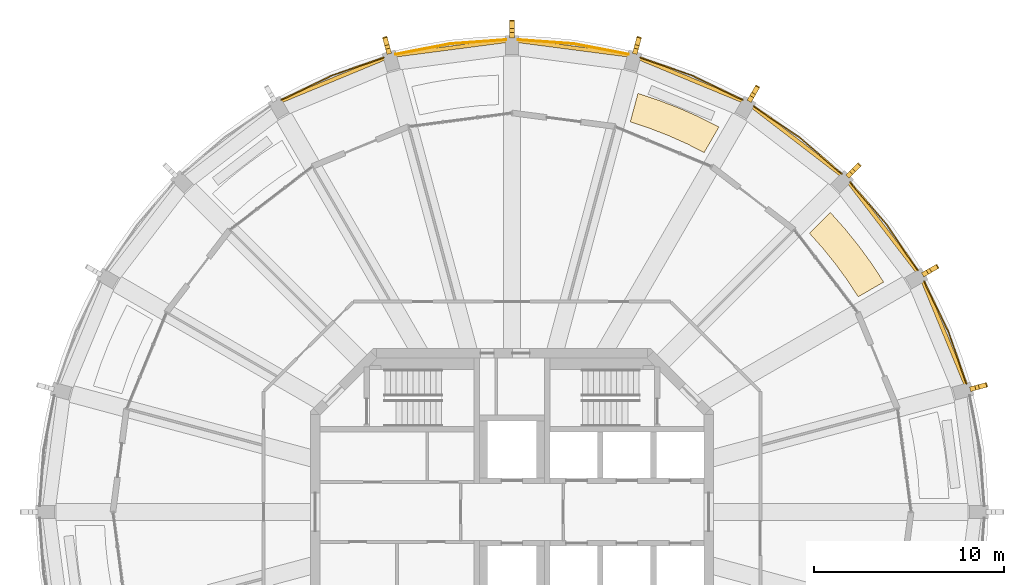
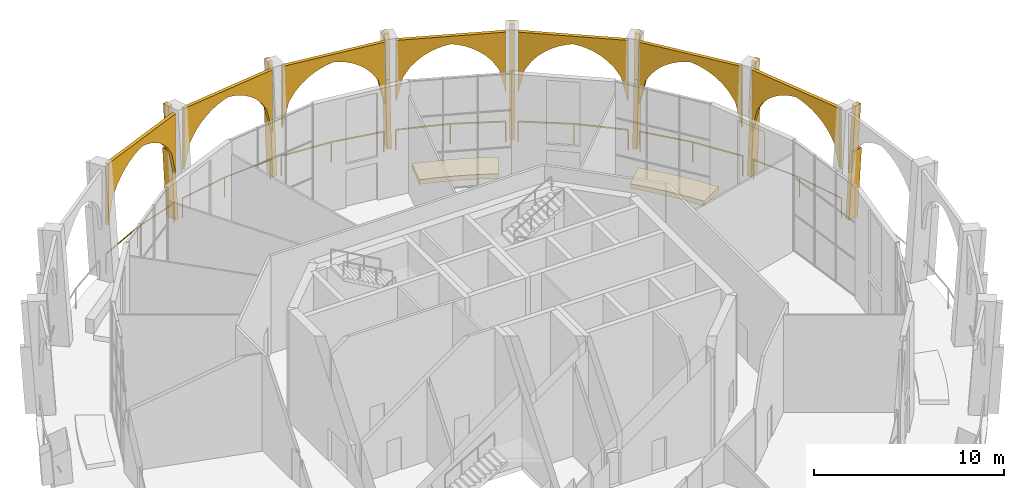
# One storey, part 17 of 17: 23 coverings, 7 railings.
"""IFC4 building model written with IfcOpenShell, lengths in metres."""

from ifc_helpers import new_model, si_unit, direction, frame, origin, origin_2d, place, context, subcontext, project, spatial, polyline, rectangle, outline, extrude, material, layer, layer_set, material_profile, profile_set, type_object, element, save


model = new_model("IFC4")

# Units and contexts
model_context = context("Model", 3, precision=1e-05, world=origin(), true_north=direction((0.0, 1.0)))
body_context = subcontext(model_context, "Body", "Model", "MODEL_VIEW")
ifc_project = project(units=[si_unit("LENGTHUNIT", "METRE"), si_unit("AREAUNIT", "SQUARE_METRE"), si_unit("VOLUMEUNIT", "CUBIC_METRE"), si_unit("PLANEANGLEUNIT", "RADIAN"), si_unit("MASSUNIT", "GRAM", prefix="KILO")], contexts=[model_context])

# Site, building, storey
site_placement = place(None, origin())
site = spatial("IfcSite", under=ifc_project, at=site_placement, CompositionType="ELEMENT")
building_placement = place(site_placement, origin())
building = spatial("IfcBuilding", under=site, at=building_placement, Name="Torre Triforio", CompositionType="ELEMENT")
storey_placement = place(building_placement, frame((0.0, 0.0, 276.0)))
storey = spatial("IfcBuildingStorey", under=building, at=storey_placement, Name="L64", CompositionType="ELEMENT", Elevation=276.0)

# Coverings
ifc_material_1 = material(Name="Limestone arch panel", Category="masonry")
ifc_layer_1 = layer(ifc_material_1, 0.199951171875)
ifc_layer_set_1 = layer_set([ifc_layer_1], Name="Limestone arch panel")
covering_type_1 = type_object("IfcCoveringType", Name="Lancet arch cladding panel 200", PredefinedType="CLADDING", material=ifc_layer_set_1)
for number, where, z_axis, x_axis, name in (
    (1, (22.662353515625, 9.38720703125, 0.0), (0.924120904221, 0.382100188932, 0.0), (-0.382100188932, 0.924120904221, 0.0), "Lancet arch panel L64 bay 02"),
    (2, (19.460693359375, 14.9326171875, 0.0), (0.793213368033, 0.608943800998, 0.0), (-0.608943800998, 0.793213368033, 0.0), "Lancet arch panel L64 bay 03"),
    (3, (14.9326171875, 19.460693359375, 0.0), (0.608943800998, 0.793213368033, 0.0), (-0.793213368033, 0.608943800998, 0.0), "Lancet arch panel L64 bay 04"),
    (4, (9.38720703125, 22.662353515625, 0.0), (0.382100188932, 0.924120904221, 0.0), (-0.924120904221, 0.382100188932, 0.0), "Lancet arch panel L64 bay 05"),
):
    element("IfcCovering", number, at=place(storey_placement, frame(where, z_axis=z_axis, x_axis=x_axis)), inside=storey, type_object=covering_type_1, Name=name, PredefinedType="CLADDING", context=body_context, shape_type="SweptSolid", body=[
        extrude(outline(polyline([(-2.919921875, 7.1201171875), (-2.919921875, 3.1748046875), (-2.5546875, 4.72900390625), (-2.189697265625, 5.3115234375), (-1.824951171875, 5.714111328125), (-1.4599609375, 6.014892578125), (-1.094970703125, 6.243408203125), (-0.72998046875, 6.415283203125), (-0.364990234375, 6.5390625), (0.0, 6.6201171875), (0.364990234375, 6.5390625), (0.72998046875, 6.415283203125), (1.094970703125, 6.243408203125), (1.4599609375, 6.014892578125), (1.824951171875, 5.714111328125), (2.189697265625, 5.3115234375), (2.5546875, 4.72900390625), (2.919921875, 3.1748046875), (2.919921875, 7.1201171875), (-2.919921875, 7.1201171875)])), origin(), (0.0, 0.0, 1.0), 0.199951171875),
    ])
for number, where, z_axis, x_axis, name in (
    (5, (3.201904296875, 24.319580078125, 0.0), (0.129287041048, 0.991607211055, 0.0), (-0.991607211055, 0.129287041048, 0.0), "Lancet arch panel L64 bay 06"),
    (6, (-3.201904296875, 24.319580078125, 0.0), (-0.129287041048, 0.991607211055, 0.0), (-0.991607211055, -0.129287041048, 0.0), "Lancet arch panel L64 bay 07"),
):
    element("IfcCovering", number, at=place(storey_placement, frame(where, z_axis=z_axis, x_axis=x_axis)), inside=storey, type_object=covering_type_1, Name=name, PredefinedType="CLADDING", context=body_context, shape_type="SweptSolid", body=[
        extrude(outline(polyline([(-2.919921875, 7.1201171875), (-2.919921875, 3.1748046875), (-2.5546875, 4.72900390625), (-2.189697265625, 5.3115234375), (-1.824951171875, 5.714111328125), (-1.4599609375, 6.014892578125), (-1.094970703125, 6.243408203125), (-0.72998046875, 6.415283203125), (-0.364990234375, 6.5390625), (0.0, 6.6201171875), (0.364990234375, 6.5390625), (0.72998046875, 6.415283203125), (1.094970703125, 6.243408203125), (1.4599609375, 6.014892578125), (1.824951171875, 5.714111328125), (2.189697265625, 5.3115234375), (2.5546875, 4.72900390625), (2.919921875, 3.1748046875), (2.919921875, 7.1201171875), (-2.919921875, 7.1201171875)])), origin(), (0.0, 0.0, 1.0), 0.2001953125),
    ])
covering_1_placement = place(storey_placement, frame((-9.38720703125, 22.662353515625, 0.0), z_axis=(-0.382100188932, 0.924120904221, 0.0), x_axis=(-0.924120904221, -0.382100188932, 0.0)))
element("IfcCovering", 7, at=covering_1_placement, inside=storey, type_object=covering_type_1, Name="Lancet arch panel L64 bay 08", PredefinedType="CLADDING", context=body_context, shape_type="SweptSolid", body=[
    extrude(outline(polyline([(-2.919921875, 7.1201171875), (-2.919921875, 3.1748046875), (-2.5546875, 4.72900390625), (-2.189697265625, 5.3115234375), (-1.824951171875, 5.714111328125), (-1.4599609375, 6.014892578125), (-1.094970703125, 6.243408203125), (-0.72998046875, 6.415283203125), (-0.364990234375, 6.5390625), (0.0, 6.6201171875), (0.364990234375, 6.5390625), (0.72998046875, 6.415283203125), (1.094970703125, 6.243408203125), (1.4599609375, 6.014892578125), (1.824951171875, 5.714111328125), (2.189697265625, 5.3115234375), (2.5546875, 4.72900390625), (2.919921875, 3.1748046875), (2.919921875, 7.1201171875), (-2.919921875, 7.1201171875)])), origin(), (0.0, 0.0, 1.0), 0.199951171875),
])

# Railings
ifc_material_2 = material(Name="Stainless steel AISI 316", Category="steel")
railing_type = type_object("IfcRailingType", Name="Loggia guard 1300", PredefinedType="GUARDRAIL", material=ifc_material_2)
railing_1_placement = place(storey_placement, frame((23.92041015625, 6.74072265625, 0.0)))
element("IfcRailing", 8, at=railing_1_placement, inside=storey, type_object=railing_type, Name="Loggia guard L64 bay 02", PredefinedType="GUARDRAIL", context=body_context, shape_type="SweptSolid", body=[
    extrude(rectangle(XDim=0.050048828125, YDim=0.050048828125, at=origin_2d()), frame((0.0, 0.0, 1.27490234375), z_axis=(-0.328145883403, 0.944627058264, 0.0), x_axis=(-0.944627058264, -0.328145883403, 0.0)), (0.0, 0.0, 1.0), 2.931396484375),
    extrude(rectangle(XDim=0.050048828125, YDim=0.050048828125, at=origin_2d()), frame((-0.9619140625, 2.76904296875, 1.27490234375), z_axis=(-0.435917913275, 0.899986429279, 0.0), x_axis=(-0.899986429279, -0.435917913275, 0.0)), (0.0, 0.0, 1.0), 2.931396484375),
    extrude(rectangle(XDim=0.0400390625, YDim=0.0400390625, at=origin_2d()), origin(), (0.0, 0.0, 1.0), 1.25),
    extrude(rectangle(XDim=0.0400390625, YDim=0.0400390625, at=origin_2d()), frame((-0.9619140625, 2.76904296875, 0.0)), (0.0, 0.0, 1.0), 1.25),
    extrude(rectangle(XDim=0.0400390625, YDim=0.0400390625, at=origin_2d()), frame((-2.23974609375, 5.4072265625, 0.0)), (0.0, 0.0, 1.0), 1.25),
])
railing_2_placement = place(storey_placement, frame((21.360595703125, 12.7021484375, 0.0)))
element("IfcRailing", 9, at=railing_2_placement, inside=storey, type_object=railing_type, Name="Loggia guard L64 bay 03", PredefinedType="GUARDRAIL", context=body_context, shape_type="SweptSolid", body=[
    extrude(rectangle(XDim=0.050048828125, YDim=0.050048828125, at=origin_2d()), frame((0.0, 0.0, 1.27490234375), z_axis=(-0.561466791934, 0.827499269821, 0.0), x_axis=(-0.827499269821, -0.561466791934, 0.0)), (0.0, 0.0, 1.0), 2.93115234375),
    extrude(rectangle(XDim=0.050048828125, YDim=0.050048828125, at=origin_2d()), frame((-1.645751953125, 2.425537109375, 1.27490234375), z_axis=(-0.653981928353, 0.756510170049, 0.0), x_axis=(-0.756510170049, -0.653981928353, 0.0)), (0.0, 0.0, 1.0), 2.93115234375),
    extrude(rectangle(XDim=0.0400390625, YDim=0.0400390625, at=origin_2d()), origin(), (0.0, 0.0, 1.0), 1.25),
    extrude(rectangle(XDim=0.0400390625, YDim=0.0400390625, at=origin_2d()), frame((-1.645751953125, 2.425537109375, 0.0)), (0.0, 0.0, 1.0), 1.25),
    extrude(rectangle(XDim=0.0400390625, YDim=0.0400390625, at=origin_2d()), frame((-3.562744140625, 4.64306640625, 0.0)), (0.0, 0.0, 1.0), 1.25),
])
railing_3_placement = place(storey_placement, frame((17.34521484375, 17.7978515625, 0.0)))
element("IfcRailing", 10, at=railing_3_placement, inside=storey, type_object=railing_type, Name="Loggia guard L64 bay 04", PredefinedType="GUARDRAIL", context=body_context, shape_type="SweptSolid", body=[
    extrude(rectangle(XDim=0.050048828125, YDim=0.050048828125, at=origin_2d()), frame((0.0, 0.0, 1.27490234375), z_axis=(-0.756510170049, 0.653981928353, 0.0), x_axis=(-0.653981928353, -0.756510170049, 0.0)), (0.0, 0.0, 1.0), 2.93115234375),
    extrude(rectangle(XDim=0.050048828125, YDim=0.050048828125, at=origin_2d()), frame((-2.217529296875, 1.9169921875, 1.27490234375), z_axis=(-0.827499269821, 0.561466791934, 0.0), x_axis=(-0.561466791934, -0.827499269821, 0.0)), (0.0, 0.0, 1.0), 2.93115234375),
    extrude(rectangle(XDim=0.0400390625, YDim=0.0400390625, at=origin_2d()), origin(), (0.0, 0.0, 1.0), 1.25),
    extrude(rectangle(XDim=0.0400390625, YDim=0.0400390625, at=origin_2d()), frame((-2.217529296875, 1.9169921875, 0.0)), (0.0, 0.0, 1.0), 1.25),
    extrude(rectangle(XDim=0.0400390625, YDim=0.0400390625, at=origin_2d()), frame((-4.64306640625, 3.562744140625, 0.0)), (0.0, 0.0, 1.0), 1.25),
])
railing_4_placement = place(storey_placement, frame((12.14794921875, 21.6806640625, 0.0)))
element("IfcRailing", 11, at=railing_4_placement, inside=storey, type_object=railing_type, Name="Loggia guard L64 bay 05", PredefinedType="GUARDRAIL", context=body_context, shape_type="SweptSolid", body=[
    extrude(rectangle(XDim=0.050048828125, YDim=0.050048828125, at=origin_2d()), frame((0.0, 0.0, 1.27490234375), z_axis=(-0.899986429279, 0.435917913275, 0.0), x_axis=(-0.435917913275, -0.899986429279, 0.0)), (0.0, 0.0, 1.0), 2.931396484375),
    extrude(rectangle(XDim=0.050048828125, YDim=0.050048828125, at=origin_2d()), frame((-2.63818359375, 1.27783203125, 1.27490234375), z_axis=(-0.944627058264, 0.328145883403, 0.0), x_axis=(-0.328145883403, -0.944627058264, 0.0)), (0.0, 0.0, 1.0), 2.931396484375),
    extrude(rectangle(XDim=0.0400390625, YDim=0.0400390625, at=origin_2d()), origin(), (0.0, 0.0, 1.0), 1.25),
    extrude(rectangle(XDim=0.0400390625, YDim=0.0400390625, at=origin_2d()), frame((-2.63818359375, 1.27783203125, 0.0)), (0.0, 0.0, 1.0), 1.25),
    extrude(rectangle(XDim=0.0400390625, YDim=0.0400390625, at=origin_2d()), frame((-5.4072265625, 2.23974609375, 0.0)), (0.0, 0.0, 1.0), 1.25),
])
railing_5_placement = place(storey_placement, frame((6.12255859375, 24.086181640625, 0.0)))
element("IfcRailing", 12, at=railing_5_placement, inside=storey, type_object=railing_type, Name="Loggia guard L64 bay 06", PredefinedType="GUARDRAIL", context=body_context, shape_type="SweptSolid", body=[
    extrude(rectangle(XDim=0.050048828125, YDim=0.050048828125, at=origin_2d()), frame((0.0, 0.0, 1.27490234375), z_axis=(-0.982155846568, 0.188068851895, 0.0), x_axis=(-0.188068851895, -0.982155846568, 0.0)), (0.0, 0.0, 1.0), 2.93115234375),
    extrude(rectangle(XDim=0.050048828125, YDim=0.050048828125, at=origin_2d()), frame((-2.87890625, 0.55126953125, 1.27490234375), z_axis=(-0.997365269168, 0.072543227511, 0.0), x_axis=(-0.072543227511, -0.997365269168, 0.0)), (0.0, 0.0, 1.0), 2.931396484375),
    extrude(rectangle(XDim=0.0400390625, YDim=0.0400390625, at=origin_2d()), origin(), (0.0, 0.0, 1.0), 1.25),
    extrude(rectangle(XDim=0.0400390625, YDim=0.0400390625, at=origin_2d()), frame((-2.87890625, 0.55126953125, 0.0)), (0.0, 0.0, 1.0), 1.25),
    extrude(rectangle(XDim=0.0400390625, YDim=0.0400390625, at=origin_2d()), frame((-5.802490234375, 0.763916015625, 0.0)), (0.0, 0.0, 1.0), 1.25),
])
railing_6_placement = place(storey_placement, frame((-0.320068359375, 24.85009765625, 0.0)))
element("IfcRailing", 13, at=railing_6_placement, inside=storey, type_object=railing_type, Name="Loggia guard L64 bay 07", PredefinedType="GUARDRAIL", context=body_context, shape_type="SweptSolid", body=[
    extrude(rectangle(XDim=0.050048828125, YDim=0.050048828125, at=origin_2d()), frame((0.0, 0.0, 1.27490234375), z_axis=(-0.997365269168, -0.072543227511, 0.0), x_axis=(0.072543227511, -0.997365269168, 0.0)), (0.0, 0.0, 1.0), 2.931396484375),
    extrude(rectangle(XDim=0.050048828125, YDim=0.050048828125, at=origin_2d()), frame((-2.923583984375, -0.212646484375, 1.27490234375), z_axis=(-0.982155846568, -0.188068851895, 0.0), x_axis=(0.188068851895, -0.982155846568, 0.0)), (0.0, 0.0, 1.0), 2.93115234375),
    extrude(rectangle(XDim=0.0400390625, YDim=0.0400390625, at=origin_2d()), origin(), (0.0, 0.0, 1.0), 1.25),
    extrude(rectangle(XDim=0.0400390625, YDim=0.0400390625, at=origin_2d()), frame((-2.923583984375, -0.212646484375, 0.0)), (0.0, 0.0, 1.0), 1.25),
    extrude(rectangle(XDim=0.0400390625, YDim=0.0400390625, at=origin_2d()), frame((-5.802490234375, -0.763916015625, 0.0)), (0.0, 0.0, 1.0), 1.25),
])
railing_7_placement = place(storey_placement, frame((-6.74072265625, 23.92041015625, 0.0)))
element("IfcRailing", 14, at=railing_7_placement, inside=storey, type_object=railing_type, Name="Loggia guard L64 bay 08", PredefinedType="GUARDRAIL", context=body_context, shape_type="SweptSolid", body=[
    extrude(rectangle(XDim=0.050048828125, YDim=0.050048828125, at=origin_2d()), frame((0.0, 0.0, 1.27490234375), z_axis=(-0.944627058264, -0.328145883403, 0.0), x_axis=(0.328145883403, -0.944627058264, 0.0)), (0.0, 0.0, 1.0), 2.931396484375),
    extrude(rectangle(XDim=0.050048828125, YDim=0.050048828125, at=origin_2d()), frame((-2.76904296875, -0.9619140625, 1.27490234375), z_axis=(-0.899986429279, -0.435917913275, 0.0), x_axis=(0.435917913275, -0.899986429279, 0.0)), (0.0, 0.0, 1.0), 2.931396484375),
    extrude(rectangle(XDim=0.0400390625, YDim=0.0400390625, at=origin_2d()), origin(), (0.0, 0.0, 1.0), 1.25),
    extrude(rectangle(XDim=0.0400390625, YDim=0.0400390625, at=origin_2d()), frame((-2.76904296875, -0.9619140625, 0.0)), (0.0, 0.0, 1.0), 1.25),
    extrude(rectangle(XDim=0.0400390625, YDim=0.0400390625, at=origin_2d()), frame((-5.4072265625, -2.23974609375, 0.0)), (0.0, 0.0, 1.0), 1.25),
])

# Coverings
ifc_material_3 = material(Name="Planted topsoil bed")
ifc_layer_2 = layer(ifc_material_3, 0.300048828125)
ifc_layer_set_2 = layer_set([ifc_layer_2], Name="Planted topsoil bed")
covering_type_2 = type_object("IfcCoveringType", Name="Planted bed 300", PredefinedType="FLOORING", material=ifc_layer_set_2)
covering_2_placement = place(storey_placement, origin())
element("IfcCovering", 15, at=covering_2_placement, inside=storey, type_object=covering_type_2, Name="Sky garden L64 planted bed 03", PredefinedType="FLOORING", context=body_context, shape_type="SweptSolid", body=[
    extrude(outline(polyline([(18.216552734375, 11.3251953125), (17.63818359375, 12.206298828125), (17.017333984375, 13.057861328125), (16.35546875, 13.8779296875), (15.654052734375, 14.664794921875), (16.750732421875, 15.76123046875), (17.52099609375, 14.900146484375), (18.2470703125, 14.00146484375), (18.92724609375, 13.067626953125), (19.5595703125, 12.1005859375), (18.216552734375, 11.3251953125)])), origin(), (0.0, 0.0, 1.0), 0.300048828125),
])
covering_3_placement = place(storey_placement, origin())
element("IfcCovering", 16, at=covering_3_placement, inside=storey, type_object=covering_type_2, Name="Sky garden L64 planted bed 05", PredefinedType="FLOORING", context=body_context, shape_type="SweptSolid", body=[
    extrude(outline(polyline([(10.11328125, 18.916259765625), (9.172119140625, 19.39013671875), (8.20849609375, 19.817138671875), (7.225341796875, 20.196533203125), (6.224609375, 20.527099609375), (6.6259765625, 22.02490234375), (7.7236328125, 21.664306640625), (8.8017578125, 21.249267578125), (9.857666015625, 20.780517578125), (10.888671875, 20.25927734375), (10.11328125, 18.916259765625)])), origin(), (0.0, 0.0, 1.0), 0.300048828125),
])
ifc_material_4 = material(Name="Limestone fin", Category="masonry")
ifc_material_profile_1 = material_profile(ifc_material_4, rectangle(XDim=0.39990234375, YDim=0.25, at=origin_2d()), Name="FIN 400x250")
ifc_profile_set_1 = profile_set([ifc_material_profile_1], Name="Limestone fin")
covering_type_3 = type_object("IfcCoveringType", Name="Stone fin 400 x 250", PredefinedType="CLADDING", material=ifc_profile_set_1)
for number, where, z_axis, x_axis, name in (
    (17, (24.5732421875, 6.58447265625, 4.27197265625), (0.065169203831, 0.017446873467, 0.997721695403), (-0.96378118794, -0.258020160551, 0.06746420178), "Stone fin C02 L64 upper"),
    (18, (22.03173828125, 12.72021484375, 4.27197265625), (0.058412930848, 0.03369647841, 0.997723647536), (-0.864234907365, -0.498548394586, 0.067435325664), "Stone fin C03 L64 upper"),
    (19, (17.989013671875, 17.989013671875, 4.27197265625), (0.047637113446, 0.047637113446, 0.997728124714), (-0.705500322766, -0.705500322766, 0.067369051908), "Stone fin C04 L64 upper"),
    (20, (12.72021484375, 22.03173828125, 4.27197265625), (0.03369647841, 0.058412930848, 0.997723647536), (-0.498548394586, -0.864234907365, 0.067435325664), "Stone fin C05 L64 upper"),
    (21, (6.58447265625, 24.5732421875, 4.27197265625), (0.017446873467, 0.065169203831, 0.997721695403), (-0.258020160551, -0.96378118794, 0.06746420178), "Stone fin C06 L64 upper"),
    (22, (0.0, 25.440185546875, 4.27197265625), (0.0, 0.067393149312, 0.997726497306), (0.0, -0.997726497306, 0.067393149312), "Stone fin C07 L64 upper"),
    (23, (-6.58447265625, 24.5732421875, 4.27197265625), (-0.017446873467, 0.065169203831, 0.997721695403), (0.258020160551, -0.96378118794, 0.06746420178), "Stone fin C08 L64 upper"),
):
    element("IfcCovering", number, at=place(storey_placement, frame(where, z_axis=z_axis, x_axis=x_axis)), inside=storey, type_object=covering_type_3, Name=name, PredefinedType="CLADDING", context=body_context, shape_type="SweptSolid", body=[
        extrude(rectangle(XDim=0.39990234375, YDim=0.25, at=origin_2d()), origin(), (0.0, 0.0, 1.0), 2.854736328125),
    ])
ifc_material_profile_2 = material_profile(ifc_material_4, rectangle(XDim=0.64990234375, YDim=0.25, at=origin_2d()), Name="FIN 650x250")
ifc_profile_set_2 = profile_set([ifc_material_profile_2], Name="Limestone fin")
covering_type_4 = type_object("IfcCoveringType", Name="Stone fin 650 x 250", PredefinedType="CLADDING", material=ifc_profile_set_2)
for number, where, z_axis, x_axis, name in (
    (24, (24.41552734375, 6.5419921875, 0.0), (0.065116133962, 0.017447930816, 0.997725141914), (-0.963728055471, -0.258231860748, 0.067413212295), "Stone fin C02 L64"),
    (25, (21.890380859375, 12.638427734375, 0.0), (0.058387841505, 0.033698451494, 0.997725049466), (-0.864130750227, -0.498731712289, 0.067414580535), "Stone fin C03 L64"),
    (26, (17.873291015625, 17.873291015625, 0.0), (0.047668203765, 0.047668203765, 0.99772515489), (-0.705498222783, -0.705498222783, 0.067413020259), "Stone fin C04 L64"),
    (27, (12.638427734375, 21.890380859375, 0.0), (0.033698451494, 0.058387841505, 0.997725049466), (-0.498731712289, -0.864130750227, 0.067414580535), "Stone fin C05 L64"),
    (28, (6.5419921875, 24.41552734375, 0.0), (0.017447930816, 0.065116133962, 0.997725141914), (-0.258231860748, -0.963728055471, 0.067413212295), "Stone fin C06 L64"),
    (29, (0.0, 25.27685546875, 0.0), (0.0, 0.067396983295, 0.997726238325), (0.0, -0.997726238325, 0.067396983295), "Stone fin C07 L64"),
    (30, (-6.5419921875, 24.41552734375, 0.0), (-0.017447930816, 0.065116133962, 0.997725141914), (0.258231860748, -0.963728055471, 0.067413212295), "Stone fin C08 L64"),
):
    element("IfcCovering", number, at=place(storey_placement, frame(where, z_axis=z_axis, x_axis=x_axis)), inside=storey, type_object=covering_type_4, Name=name, PredefinedType="CLADDING", context=body_context, shape_type="SweptSolid", body=[
        extrude(rectangle(XDim=0.64990234375, YDim=0.25, at=origin_2d()), origin(), (0.0, 0.0, 1.0), 4.28173828125),
    ])

save(model, "model.ifc")
